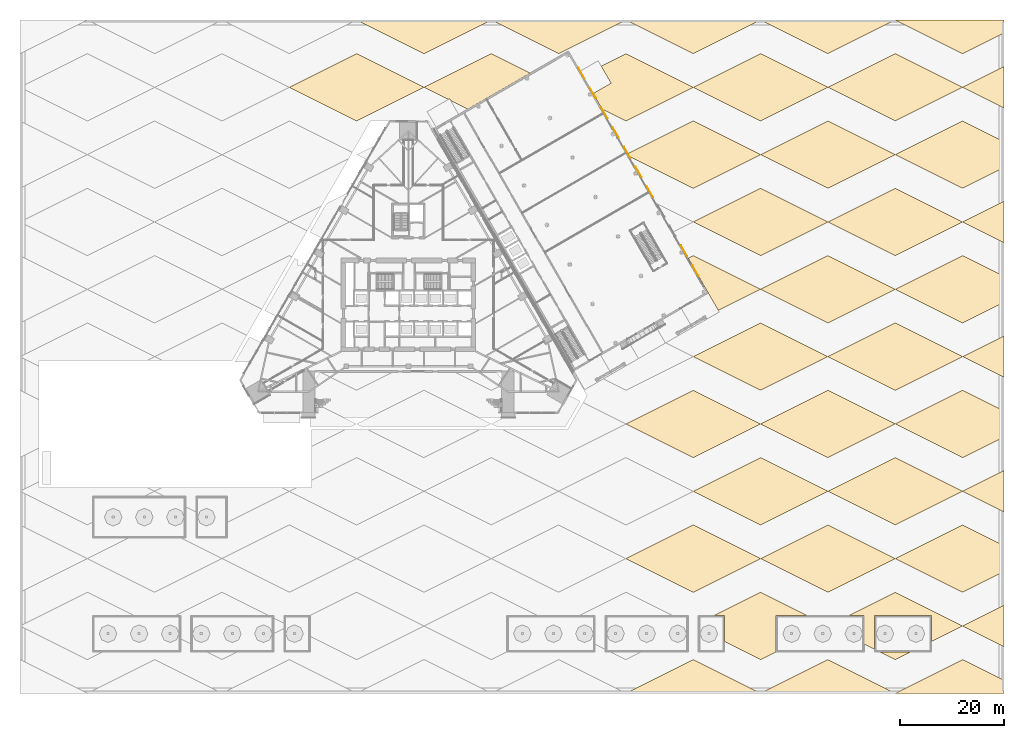
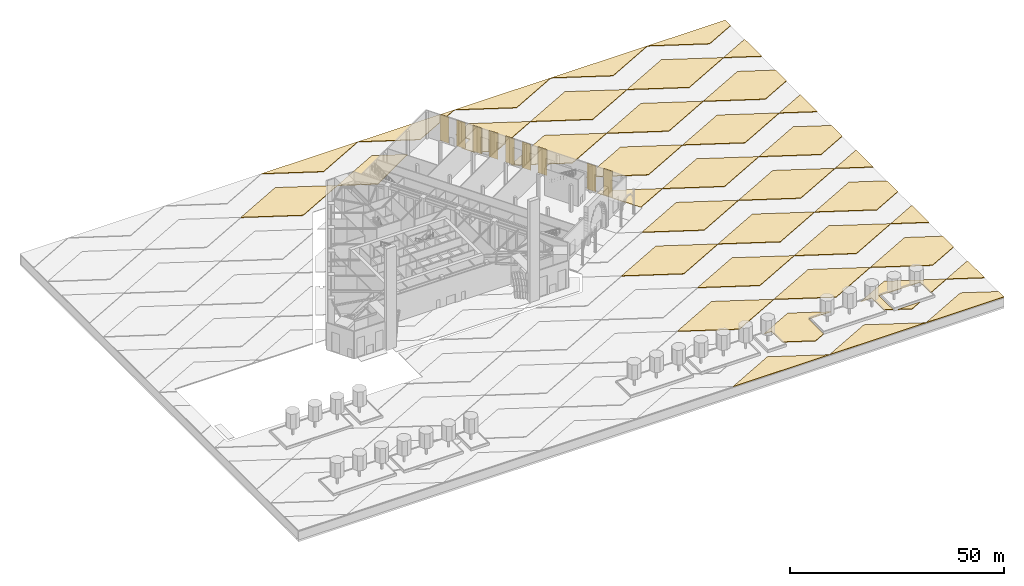
# One storey, part 31 of 34: 48 coverings.
"""IFC4 building model written with IfcOpenShell, lengths in metres."""

import ifcopenshell
import ifcopenshell.guid

model = None  # the IFC model being written
_history = None  # IfcOwnerHistory: only IFC2X3 demands one
_inside = {}  # id of a spatial element -> (the spatial element, [elements in it])
_under = {}  # id of a project, library or spatial element -> (it, [spatial elements below it])
_declared = {}  # id of a project -> (the project, [libraries it declares])
_typed = {}  # id of a type object -> (the type object, [elements of that type])
_made_of = {}  # id of a material, layer set ... -> (it, [elements and type objects made of it])


def new_model(schema):
    """Start an empty IFC model of exactly this schema.

    Asked for "IFC4X3", IfcOpenShell would pick the latest addendum, in which some entities
    have other attributes; the version numbers below select the first issue.
    IFC2X3 requires an IfcOwnerHistory on every rooted entity: one is made here for all.
    """
    global model, _history
    if schema == "IFC4X3":
        model = ifcopenshell.file(schema_version=(4, 3, 0, 0))
    else:
        model = ifcopenshell.file(schema=schema)
    _inside.clear()
    _under.clear()
    _declared.clear()
    _typed.clear()
    _made_of.clear()
    _history = None
    if model.schema == "IFC2X3":
        org = make("IfcOrganization", Name="unknown")
        user = make(
            "IfcPersonAndOrganization",
            ThePerson=make("IfcPerson", FamilyName="unknown"),
            TheOrganization=org,
        )
        app = make(
            "IfcApplication",
            ApplicationDeveloper=org,
            Version="unknown",
            ApplicationFullName="unknown",
            ApplicationIdentifier="unknown",
        )
        _history = make(
            "IfcOwnerHistory",
            OwningUser=user,
            OwningApplication=app,
            ChangeAction="ADDED",
            CreationDate=0,
        )
    return model


def make(cls, **values):
    """One entity of the class cls with the attributes given. An attribute that is None is left unset."""
    return model.create_entity(
        cls, **{name: value for name, value in values.items() if value is not None}
    )


def rooted(cls, **values):
    """An entity with a GlobalId (a new one), such as an element, a storey or a relation."""
    return make(cls, GlobalId=ifcopenshell.guid.new(), OwnerHistory=_history, **values)


def si_unit(unit_type, name, prefix=None):
    """IfcSIUnit, for example si_unit("LENGTHUNIT", "METRE", prefix="MILLI")."""
    return make("IfcSIUnit", UnitType=unit_type, Prefix=prefix, Name=name)


def assignment(units):
    """IfcUnitAssignment: the units of a project."""
    return None if units is None else make("IfcUnitAssignment", Units=units)


def point(xyz):
    """IfcCartesianPoint."""
    return None if xyz is None else make("IfcCartesianPoint", Coordinates=xyz)


def direction(xyz):
    """IfcDirection."""
    return None if xyz is None else make("IfcDirection", DirectionRatios=xyz)


def frame(location, z_axis=None, x_axis=None):
    """IfcAxis2Placement3D, a coordinate frame: its origin and axes. An axis left out is left unset."""
    return make(
        "IfcAxis2Placement3D",
        Location=point(location),
        Axis=direction(z_axis),
        RefDirection=direction(x_axis),
    )


def frame_2d(location, x_axis=None):
    """IfcAxis2Placement2D, a coordinate frame in the plane: its origin and x axis."""
    return make(
        "IfcAxis2Placement2D", Location=point(location), RefDirection=direction(x_axis)
    )


def origin():
    """The frame at (0, 0, 0) with its axes left unset."""
    return frame((0.0, 0.0, 0.0))


def origin_2d():
    """The frame at (0, 0) in the plane with its x axis left unset."""
    return frame_2d((0.0, 0.0))


def place(relative_to, where):
    """IfcLocalPlacement: puts the frame where relative to a parent placement (None: the world)."""
    return make(
        "IfcLocalPlacement", PlacementRelTo=relative_to, RelativePlacement=where
    )


def context(
    kind, dimensions, precision=None, world=None, true_north=None, identifier=None
):
    """IfcGeometricRepresentationContext, for example the 3D "Model" context."""
    return make(
        "IfcGeometricRepresentationContext",
        ContextIdentifier=identifier,
        ContextType=kind,
        CoordinateSpaceDimension=dimensions,
        Precision=precision,
        WorldCoordinateSystem=world,
        TrueNorth=true_north,
    )


def subcontext(parent, identifier, kind, view, scale=None):
    """IfcGeometricRepresentationSubContext, for example "Body" below "Model"."""
    return make(
        "IfcGeometricRepresentationSubContext",
        ContextIdentifier=identifier,
        ContextType=kind,
        ParentContext=parent,
        TargetScale=scale,
        TargetView=view,
    )


def project(units=None, contexts=None):
    """IfcProject with its units and contexts."""
    return rooted(
        "IfcProject",
        Name="project",
        RepresentationContexts=contexts,
        UnitsInContext=assignment(units),
    )


def spatial(cls, under=None, at=None, **own):
    """A site, building, storey or space (cls), placed at a placement, below another one or the project."""
    s = rooted(cls, ObjectPlacement=at, **own)
    if under is not None:
        _under.setdefault(under.id(), (under, []))[1].append(s)
    return s


def polyline(points):
    """IfcPolyline through the points."""
    return make("IfcPolyline", Points=[point(p) for p in points])


def profile(cls, at=None, kind="AREA", **sizes):
    """A parametric profile (cls). Its sizes go by their IFC names, for example OverallWidth=200.0."""
    return make(cls, ProfileType=kind, Position=at, **sizes)


def rectangle(**sizes):
    """IfcRectangleProfileDef."""
    return profile("IfcRectangleProfileDef", **sizes)


def outline(outer, holes=None, kind="AREA"):
    """IfcArbitraryClosedProfileDef: a profile drawn as a closed curve; with holes, ...WithVoids."""
    if holes is None:
        return make("IfcArbitraryClosedProfileDef", ProfileType=kind, OuterCurve=outer)
    return make(
        "IfcArbitraryProfileDefWithVoids",
        ProfileType=kind,
        OuterCurve=outer,
        InnerCurves=holes,
    )


def extrude(swept, where, along, depth):
    """IfcExtrudedAreaSolid: the profile swept, set in the frame where, extruded along a direction by depth."""
    return make(
        "IfcExtrudedAreaSolid",
        SweptArea=swept,
        Position=where,
        ExtrudedDirection=direction(along),
        Depth=depth,
    )


def shape(context_of_items, identifier, shape_type, items):
    """IfcShapeRepresentation: the items that make up one representation, for example the "Body"."""
    return make(
        "IfcShapeRepresentation",
        ContextOfItems=context_of_items,
        RepresentationIdentifier=identifier,
        RepresentationType=shape_type,
        Items=items,
    )


def material(Name=None, Category=None):
    """IfcMaterial."""
    return make("IfcMaterial", Name=Name, Category=Category)


def layer(
    of_material, thickness, ventilated=None, Name=None, Category=None, Priority=None
):
    """IfcMaterialLayer: one layer of a wall or slab, of a material (None: an air gap)."""
    return make(
        "IfcMaterialLayer",
        Material=of_material,
        LayerThickness=thickness,
        IsVentilated=ventilated,
        Name=Name,
        Category=Category,
        Priority=Priority,
    )


def layer_set(layers, Name=None):
    """IfcMaterialLayerSet."""
    return make("IfcMaterialLayerSet", MaterialLayers=layers, LayerSetName=Name)


def made_of(thing, what):
    """Note that an element or type object is made of a material, layer set ...; save() writes the relation."""
    if what is not None:
        _made_of.setdefault(what.id(), (what, []))[1].append(thing)
    return thing


def type_object(cls, material=None, **own):
    """A type object (cls), such as IfcWallType, which elements share."""
    return made_of(rooted(cls, **own), material)


def element(
    cls,
    number,
    at=None,
    inside=None,
    cuts=None,
    type_object=None,
    material=None,
    context=None,
    identifier="Body",
    shape_type=None,
    held_by="IfcProductDefinitionShape",
    body=None,
    shapes=None,
    **own,
):
    """One element of the class cls, such as IfcWall. Its Tag is "e" and its number.

    at: its placement. inside: the storey or other place that contains it. cuts: it is an
    opening in that element (IfcRelVoidsElement). A single representation is given by context,
    identifier, shape_type and body (its items); several are given by shapes. held_by: the class
    of the entity that holds the representations. save() writes the other relations.
    """
    e = rooted(cls, Tag="e%d" % number, ObjectPlacement=at, **own)
    if body is not None:
        shapes = [shape(context, identifier, shape_type, body)]
    if shapes is not None:
        e.Representation = make(held_by, Representations=shapes)
    if inside is not None:
        _inside.setdefault(inside.id(), (inside, []))[1].append(e)
    if cuts is not None:
        rooted(
            "IfcRelVoidsElement", RelatingBuildingElement=cuts, RelatedOpeningElement=e
        )
    if type_object is not None:
        _typed.setdefault(type_object.id(), (type_object, []))[1].append(e)
    return made_of(e, material)


def aggregate(whole, parts):
    """IfcRelAggregates: a whole, such as a stair, and the parts it consists of."""
    return rooted("IfcRelAggregates", RelatingObject=whole, RelatedObjects=parts)


def save(model, path):
    """Write the relations noted so far, then the file.

    IfcRelAggregates (storeys below a building ...), IfcRelContainedInSpatialStructure (elements
    in a storey), IfcRelDefinesByType, IfcRelAssociatesMaterial and IfcRelDeclares: one each for
    every whole, place, type object, material and project.
    """
    for whole, parts in _under.values():
        aggregate(whole, parts)
    for where, things in _inside.values():
        rooted(
            "IfcRelContainedInSpatialStructure",
            RelatedElements=things,
            RelatingStructure=where,
        )
    for kind, things in _typed.values():
        rooted("IfcRelDefinesByType", RelatedObjects=things, RelatingType=kind)
    for what, things in _made_of.values():
        rooted("IfcRelAssociatesMaterial", RelatedObjects=things, RelatingMaterial=what)
    for by, libraries in _declared.values():
        rooted("IfcRelDeclares", RelatingContext=by, RelatedDefinitions=libraries)
    model.write(path)


model = new_model("IFC4")

# Units and contexts
model_context = context("Model", 3, precision=1e-05, world=origin(), true_north=direction((0.0, 1.0)))
body_context = subcontext(model_context, "Body", "Model", "MODEL_VIEW")
ifc_project = project(units=[si_unit("LENGTHUNIT", "METRE"), si_unit("AREAUNIT", "SQUARE_METRE"), si_unit("VOLUMEUNIT", "CUBIC_METRE"), si_unit("PLANEANGLEUNIT", "RADIAN"), si_unit("MASSUNIT", "GRAM", prefix="KILO")], contexts=[model_context])

# Site, building, storey
site_placement = place(None, origin())
site = spatial("IfcSite", under=ifc_project, at=site_placement, CompositionType="ELEMENT")
building_placement = place(site_placement, origin())
building = spatial("IfcBuilding", under=site, at=building_placement, Name="Firuza Gate Tower and Library", CompositionType="ELEMENT")
storey_placement = place(building_placement, origin())
storey = spatial("IfcBuildingStorey", under=building, at=storey_placement, Name="L00", CompositionType="ELEMENT", Elevation=0.0)

# Coverings
ifc_material_1 = material(Name="Ceramic paving, deep blue")
ifc_layer_1 = layer(ifc_material_1, 0.14990234375)
ifc_layer_set_1 = layer_set([ifc_layer_1], Name="Cobalt ceramic paving 150")
covering_type_1 = type_object("IfcCoveringType", Name="Cobalt ceramic paving 150", PredefinedType="FLOORING", material=ifc_layer_set_1)
placement = place(storey_placement, frame((0.0, 0.0, -0.14990234375)))
element("IfcCovering", 1, at=placement, inside=storey, type_object=covering_type_1, Name="Plaza paving", PredefinedType="FLOORING", context=body_context, shape_type="SweptSolid", body=[
    extrude(outline(polyline([(130.0, 6.5), (143.0, 0.0), (117.0, 0.0), (130.0, 6.5)])), origin(), (0.0, 0.0, 1.0), 0.14990234375),
])
element("IfcCovering", 2, at=placement, inside=storey, type_object=covering_type_1, Name="Plaza paving", PredefinedType="FLOORING", context=body_context, shape_type="SweptSolid", body=[
    extrude(outline(polyline([(163.0, 9.5), (163.0, 15.0), (160.0, 15.0), (169.0, 19.5), (182.0, 13.0), (176.0, 10.0), (176.0, 15.0), (165.0, 15.0), (165.0, 8.5), (163.0, 9.5)])), origin(), (0.0, 0.0, 1.0), 0.14990234375),
])
element("IfcCovering", 3, at=placement, inside=storey, type_object=covering_type_1, Name="Plaza paving", PredefinedType="FLOORING", context=body_context, shape_type="SweptSolid", body=[
    extrude(outline(polyline([(169.0, 6.5), (166.0, 8.0), (172.0, 8.0), (169.0, 6.5)])), origin(), (0.0, 0.0, 1.0), 0.14990234375),
])
element("IfcCovering", 4, at=placement, inside=storey, type_object=covering_type_1, Name="Plaza paving", PredefinedType="FLOORING", context=body_context, shape_type="SweptSolid", body=[
    extrude(outline(polyline([(182.0, 19.5), (169.0, 26.0), (182.0, 32.5), (190.0, 28.5), (190.0, 23.5), (182.0, 19.5)])), origin(), (0.0, 0.0, 1.0), 0.14990234375),
])
element("IfcCovering", 5, at=placement, inside=storey, type_object=covering_type_1, Name="Plaza paving", PredefinedType="FLOORING", context=body_context, shape_type="SweptSolid", body=[
    extrude(outline(polyline([(143.0, 45.5), (156.0, 39.0), (143.0, 32.5), (130.0, 39.0), (143.0, 45.5)])), origin(), (0.0, 0.0, 1.0), 0.14990234375),
])
element("IfcCovering", 6, at=placement, inside=storey, type_object=covering_type_1, Name="Plaza paving", PredefinedType="FLOORING", context=body_context, shape_type="SweptSolid", body=[
    extrude(outline(polyline([(156.0, 58.5), (169.0, 52.0), (156.0, 45.5), (143.0, 52.0), (156.0, 58.5)])), origin(), (0.0, 0.0, 1.0), 0.14990234375),
])
element("IfcCovering", 7, at=placement, inside=storey, type_object=covering_type_1, Name="Plaza paving", PredefinedType="FLOORING", context=body_context, shape_type="SweptSolid", body=[
    extrude(outline(polyline([(182.0, 65.0), (190.0, 69.0), (190.0, 61.0), (182.0, 65.0)])), origin(), (0.0, 0.0, 1.0), 0.14990234375),
])
element("IfcCovering", 8, at=placement, inside=storey, type_object=covering_type_1, Name="Plaza paving", PredefinedType="FLOORING", context=body_context, shape_type="SweptSolid", body=[
    extrude(outline(polyline([(130.0, 84.5), (143.0, 78.0), (134.841552734375, 73.920654296875), (129.017333984375, 84.008544921875), (130.0, 84.5)])), origin(), (0.0, 0.0, 1.0), 0.14990234375),
])
element("IfcCovering", 9, at=placement, inside=storey, type_object=covering_type_1, Name="Plaza paving", PredefinedType="FLOORING", context=body_context, shape_type="SweptSolid", body=[
    extrude(outline(polyline([(169.0, 97.5), (182.0, 91.0), (169.0, 84.5), (156.0, 91.0), (169.0, 97.5)])), origin(), (0.0, 0.0, 1.0), 0.14990234375),
])
element("IfcCovering", 10, at=placement, inside=storey, type_object=covering_type_1, Name="Plaza paving", PredefinedType="FLOORING", context=body_context, shape_type="SweptSolid", body=[
    extrude(outline(polyline([(182.0, 97.5), (169.0, 104.0), (182.0, 110.5), (190.0, 106.5), (190.0, 101.5), (182.0, 97.5)])), origin(), (0.0, 0.0, 1.0), 0.14990234375),
])
element("IfcCovering", 11, at=placement, inside=storey, type_object=covering_type_1, Name="Plaza paving", PredefinedType="FLOORING", context=body_context, shape_type="SweptSolid", body=[
    extrude(outline(polyline([(65.0, 123.5), (78.0, 117.0), (65.0, 110.5), (52.0, 117.0), (65.0, 123.5)])), origin(), (0.0, 0.0, 1.0), 0.14990234375),
])
element("IfcCovering", 12, at=placement, inside=storey, type_object=covering_type_1, Name="Plaza paving", PredefinedType="FLOORING", context=body_context, shape_type="SweptSolid", body=[
    extrude(outline(polyline([(143.0, 123.5), (156.0, 117.0), (143.0, 110.5), (130.0, 117.0), (143.0, 123.5)])), origin(), (0.0, 0.0, 1.0), 0.14990234375),
])
element("IfcCovering", 13, at=placement, inside=storey, type_object=covering_type_1, Name="Plaza paving", PredefinedType="FLOORING", context=body_context, shape_type="SweptSolid", body=[
    extrude(outline(polyline([(78.0, 123.5), (65.0, 130.0), (91.0, 130.0), (78.0, 123.5)])), origin(), (0.0, 0.0, 1.0), 0.14990234375),
])
element("IfcCovering", 14, at=placement, inside=storey, type_object=covering_type_1, Name="Plaza paving", PredefinedType="FLOORING", context=body_context, shape_type="SweptSolid", body=[
    extrude(outline(polyline([(156.0, 123.5), (143.0, 130.0), (169.0, 130.0), (156.0, 123.5)])), origin(), (0.0, 0.0, 1.0), 0.14990234375),
])
ifc_material_2 = material(Name="Turquoise glazed ceramic tile")
ifc_layer_2 = layer(ifc_material_2, 0.050048828125)
ifc_layer_set_2 = layer_set([ifc_layer_2], Name="LIB TILE CLADDING")
covering_type_2 = type_object("IfcCoveringType", Name="LIB TILE CLADDING", PredefinedType="CLADDING", material=ifc_layer_set_2)
for number, where, z_axis, x_axis, name in (
    (15, (130.435302734375, 81.602294921875, 0.10009765625), (0.0, 0.0, 1.0), (-0.5, 0.866025403784, 0.0), "L00 TILE panel 1"),
    (16, (121.635498046875, 96.84423828125, 0.10009765625), (0.0, 0.0, 1.0), (-0.5, 0.866025403784, 0.0), "L00 TILE panel 5"),
    (17, (117.2353515625, 104.46533203125, 0.10009765625), (0.0, 0.0, 1.0), (-0.5, 0.866025403784, 0.0), "L00 TILE panel 7"),
    (18, (112.83544921875, 112.086181640625, 0.10009765625), (0.0, 0.0, 1.0), (-0.5, 0.866025403784, 0.0), "L00 TILE panel 9"),
    (19, (108.435302734375, 119.70751953125, 0.10009765625), (0.0, 0.0, 1.0), (-0.5, 0.866025403784, 0.0), "L00 TILE panel 11"),
):
    element("IfcCovering", number, at=place(storey_placement, frame(where, z_axis=z_axis, x_axis=x_axis)), inside=storey, type_object=covering_type_2, Name=name, PredefinedType="CLADDING", context=body_context, shape_type="SweptSolid", body=[
        extrude(rectangle(XDim=2.39990234375, YDim=0.050048828125, at=origin_2d()), origin(), (0.0, 0.0, 1.0), 7.43994140625),
    ])
ifc_material_3 = material(Name="Cobalt glazed ceramic tile")
ifc_layer_3 = layer(ifc_material_3, 0.050048828125)
ifc_layer_set_3 = layer_set([ifc_layer_3], Name="LIB TILE CLADDING COBALT")
covering_type_3 = type_object("IfcCoveringType", Name="LIB TILE CLADDING COBALT", PredefinedType="CLADDING", material=ifc_layer_set_3)
for number, where, z_axis, x_axis, name in (
    (20, (128.2353515625, 85.412841796875, 0.10009765625), (0.0, 0.0, 1.0), (-0.5, 0.866025403784, 0.0), "L00 TILE panel 2"),
    (21, (119.435302734375, 100.65478515625, 0.10009765625), (0.0, 0.0, 1.0), (-0.5, 0.866025403784, 0.0), "L00 TILE panel 6"),
    (22, (115.035400390625, 108.27587890625, 0.10009765625), (0.0, 0.0, 1.0), (-0.5, 0.866025403784, 0.0), "L00 TILE panel 8"),
    (23, (110.635498046875, 115.89697265625, 0.10009765625), (0.0, 0.0, 1.0), (-0.5, 0.866025403784, 0.0), "L00 TILE panel 10"),
):
    element("IfcCovering", number, at=place(storey_placement, frame(where, z_axis=z_axis, x_axis=x_axis)), inside=storey, type_object=covering_type_3, Name=name, PredefinedType="CLADDING", context=body_context, shape_type="SweptSolid", body=[
        extrude(rectangle(XDim=2.39990234375, YDim=0.050048828125, at=origin_2d()), origin(), (0.0, 0.0, 1.0), 7.43994140625),
    ])
ifc_material_4 = material(Name="Sandstone paving", Category="masonry")
ifc_layer_4 = layer(ifc_material_4, 0.14990234375)
ifc_layer_set_4 = layer_set([ifc_layer_4], Name="Sandstone paving 150")
covering_type_4 = type_object("IfcCoveringType", Name="Sandstone paving 150", PredefinedType="FLOORING", material=ifc_layer_set_4)
element("IfcCovering", 24, at=placement, inside=storey, type_object=covering_type_4, Name="Plaza paving", PredefinedType="FLOORING", context=body_context, shape_type="SweptSolid", body=[
    extrude(outline(polyline([(156.0, 6.5), (169.0, 0.0), (143.0, 0.0), (156.0, 6.5)])), origin(), (0.0, 0.0, 1.0), 0.14990234375),
])
element("IfcCovering", 25, at=placement, inside=storey, type_object=covering_type_4, Name="Plaza paving", PredefinedType="FLOORING", context=body_context, shape_type="SweptSolid", body=[
    extrude(outline(polyline([(182.0, 13.0), (190.0, 17.0), (190.0, 9.0), (182.0, 13.0)])), origin(), (0.0, 0.0, 1.0), 0.14990234375),
])
element("IfcCovering", 26, at=placement, inside=storey, type_object=covering_type_4, Name="Plaza paving", PredefinedType="FLOORING", context=body_context, shape_type="SweptSolid", body=[
    extrude(outline(polyline([(130.0, 32.5), (143.0, 26.0), (130.0, 19.5), (117.0, 26.0), (130.0, 32.5)])), origin(), (0.0, 0.0, 1.0), 0.14990234375),
])
element("IfcCovering", 27, at=placement, inside=storey, type_object=covering_type_4, Name="Plaza paving", PredefinedType="FLOORING", context=body_context, shape_type="SweptSolid", body=[
    extrude(outline(polyline([(169.0, 45.5), (182.0, 39.0), (169.0, 32.5), (156.0, 39.0), (169.0, 45.5)])), origin(), (0.0, 0.0, 1.0), 0.14990234375),
])
element("IfcCovering", 28, at=placement, inside=storey, type_object=covering_type_4, Name="Plaza paving", PredefinedType="FLOORING", context=body_context, shape_type="SweptSolid", body=[
    extrude(outline(polyline([(182.0, 45.5), (169.0, 52.0), (182.0, 58.5), (190.0, 54.5), (190.0, 49.5), (182.0, 45.5)])), origin(), (0.0, 0.0, 1.0), 0.14990234375),
])
element("IfcCovering", 29, at=placement, inside=storey, type_object=covering_type_4, Name="Plaza paving", PredefinedType="FLOORING", context=body_context, shape_type="SweptSolid", body=[
    extrude(outline(polyline([(143.0, 71.5), (156.0, 65.0), (143.0, 58.5), (130.0, 65.0), (143.0, 71.5)])), origin(), (0.0, 0.0, 1.0), 0.14990234375),
])
element("IfcCovering", 30, at=placement, inside=storey, type_object=covering_type_4, Name="Plaza paving", PredefinedType="FLOORING", context=body_context, shape_type="SweptSolid", body=[
    extrude(outline(polyline([(156.0, 84.5), (169.0, 78.0), (156.0, 71.5), (143.0, 78.0), (156.0, 84.5)])), origin(), (0.0, 0.0, 1.0), 0.14990234375),
])
element("IfcCovering", 31, at=placement, inside=storey, type_object=covering_type_4, Name="Plaza paving", PredefinedType="FLOORING", context=body_context, shape_type="SweptSolid", body=[
    extrude(outline(polyline([(182.0, 91.0), (190.0, 95.0), (190.0, 87.0), (182.0, 91.0)])), origin(), (0.0, 0.0, 1.0), 0.14990234375),
])
element("IfcCovering", 32, at=placement, inside=storey, type_object=covering_type_4, Name="Plaza paving", PredefinedType="FLOORING", context=body_context, shape_type="SweptSolid", body=[
    extrude(outline(polyline([(130.0, 110.5), (143.0, 104.0), (130.0, 97.5), (117.668212890625, 103.666015625), (117.368896484375, 104.184326171875), (130.0, 110.5)])), origin(), (0.0, 0.0, 1.0), 0.14990234375),
])
element("IfcCovering", 33, at=placement, inside=storey, type_object=covering_type_4, Name="Plaza paving", PredefinedType="FLOORING", context=body_context, shape_type="SweptSolid", body=[
    extrude(outline(polyline([(78.0, 117.0), (91.0, 123.5), (98.5048828125, 119.74755859375), (86.438232421875, 112.78076171875), (83.1728515625, 114.41357421875), (82.9462890625, 114.80615234375), (82.68701171875, 114.656494140625), (78.0, 117.0)])), origin(), (0.0, 0.0, 1.0), 0.14990234375),
])
element("IfcCovering", 34, at=placement, inside=storey, type_object=covering_type_4, Name="Plaza paving", PredefinedType="FLOORING", context=body_context, shape_type="SweptSolid", body=[
    extrude(outline(polyline([(169.0, 123.5), (182.0, 117.0), (169.0, 110.5), (156.0, 117.0), (169.0, 123.5)])), origin(), (0.0, 0.0, 1.0), 0.14990234375),
])
element("IfcCovering", 35, at=placement, inside=storey, type_object=covering_type_4, Name="Plaza paving", PredefinedType="FLOORING", context=body_context, shape_type="SweptSolid", body=[
    extrude(outline(polyline([(104.0, 123.5), (91.0, 130.0), (117.0, 130.0), (104.0, 123.5)])), origin(), (0.0, 0.0, 1.0), 0.14990234375),
])
element("IfcCovering", 36, at=placement, inside=storey, type_object=covering_type_4, Name="Plaza paving", PredefinedType="FLOORING", context=body_context, shape_type="SweptSolid", body=[
    extrude(outline(polyline([(182.0, 123.5), (169.0, 130.0), (190.0, 130.0), (190.0, 127.5), (182.0, 123.5)])), origin(), (0.0, 0.0, 1.0), 0.14990234375),
])
ifc_material_5 = material(Name="Ceramic paving, turquoise")
ifc_layer_5 = layer(ifc_material_5, 0.14990234375)
ifc_layer_set_5 = layer_set([ifc_layer_5], Name="Turquoise ceramic paving 150")
covering_type_5 = type_object("IfcCoveringType", Name="Turquoise ceramic paving 150", PredefinedType="FLOORING", material=ifc_layer_set_5)
element("IfcCovering", 37, at=placement, inside=storey, type_object=covering_type_5, Name="Plaza paving", PredefinedType="FLOORING", context=body_context, shape_type="SweptSolid", body=[
    extrude(outline(polyline([(182.0, 6.5), (190.0, 2.5), (190.0, 0.0), (169.0, 0.0), (182.0, 6.5)])), origin(), (0.0, 0.0, 1.0), 0.14990234375),
])
element("IfcCovering", 38, at=placement, inside=storey, type_object=covering_type_5, Name="Plaza paving", PredefinedType="FLOORING", context=body_context, shape_type="SweptSolid", body=[
    extrude(outline(polyline([(143.0, 6.5), (136.0, 10.0), (136.0, 15.0), (134.0, 15.0), (143.0, 19.5), (152.0, 15.0), (146.0, 15.0), (146.0, 8.0), (143.0, 6.5)])), origin(), (0.0, 0.0, 1.0), 0.14990234375),
])
element("IfcCovering", 39, at=placement, inside=storey, type_object=covering_type_5, Name="Plaza paving", PredefinedType="FLOORING", context=body_context, shape_type="SweptSolid", body=[
    extrude(outline(polyline([(156.0, 32.5), (169.0, 26.0), (156.0, 19.5), (143.0, 26.0), (156.0, 32.5)])), origin(), (0.0, 0.0, 1.0), 0.14990234375),
])
element("IfcCovering", 40, at=placement, inside=storey, type_object=covering_type_5, Name="Plaza paving", PredefinedType="FLOORING", context=body_context, shape_type="SweptSolid", body=[
    extrude(outline(polyline([(182.0, 39.0), (190.0, 43.0), (190.0, 35.0), (182.0, 39.0)])), origin(), (0.0, 0.0, 1.0), 0.14990234375),
])
element("IfcCovering", 41, at=placement, inside=storey, type_object=covering_type_5, Name="Plaza paving", PredefinedType="FLOORING", context=body_context, shape_type="SweptSolid", body=[
    extrude(outline(polyline([(130.0, 58.5), (143.0, 52.0), (130.0, 45.5), (117.0, 52.0), (130.0, 58.5)])), origin(), (0.0, 0.0, 1.0), 0.14990234375),
])
element("IfcCovering", 42, at=placement, inside=storey, type_object=covering_type_5, Name="Plaza paving", PredefinedType="FLOORING", context=body_context, shape_type="SweptSolid", body=[
    extrude(outline(polyline([(169.0, 71.5), (182.0, 65.0), (169.0, 58.5), (156.0, 65.0), (169.0, 71.5)])), origin(), (0.0, 0.0, 1.0), 0.14990234375),
])
element("IfcCovering", 43, at=placement, inside=storey, type_object=covering_type_5, Name="Plaza paving", PredefinedType="FLOORING", context=body_context, shape_type="SweptSolid", body=[
    extrude(outline(polyline([(182.0, 71.5), (169.0, 78.0), (182.0, 84.5), (190.0, 80.5), (190.0, 75.5), (182.0, 71.5)])), origin(), (0.0, 0.0, 1.0), 0.14990234375),
])
element("IfcCovering", 44, at=placement, inside=storey, type_object=covering_type_5, Name="Plaza paving", PredefinedType="FLOORING", context=body_context, shape_type="SweptSolid", body=[
    extrude(outline(polyline([(143.0, 97.5), (156.0, 91.0), (143.0, 84.5), (130.0, 91.0), (143.0, 97.5)])), origin(), (0.0, 0.0, 1.0), 0.14990234375),
])
element("IfcCovering", 45, at=placement, inside=storey, type_object=covering_type_5, Name="Plaza paving", PredefinedType="FLOORING", context=body_context, shape_type="SweptSolid", body=[
    extrude(outline(polyline([(156.0, 110.5), (169.0, 104.0), (156.0, 97.5), (143.0, 104.0), (156.0, 110.5)])), origin(), (0.0, 0.0, 1.0), 0.14990234375),
])
element("IfcCovering", 46, at=placement, inside=storey, type_object=covering_type_5, Name="Plaza paving", PredefinedType="FLOORING", context=body_context, shape_type="SweptSolid", body=[
    extrude(outline(polyline([(117.0, 123.5), (130.0, 117.0), (117.0, 110.5), (112.392333984375, 112.8037109375), (110.663818359375, 115.797607421875), (114.1279296875, 117.797607421875), (112.216552734375, 121.1083984375), (117.0, 123.5)])), origin(), (0.0, 0.0, 1.0), 0.14990234375),
])
element("IfcCovering", 47, at=placement, inside=storey, type_object=covering_type_5, Name="Plaza paving", PredefinedType="FLOORING", context=body_context, shape_type="SweptSolid", body=[
    extrude(outline(polyline([(182.0, 117.0), (190.0, 121.0), (190.0, 113.0), (182.0, 117.0)])), origin(), (0.0, 0.0, 1.0), 0.14990234375),
])
element("IfcCovering", 48, at=placement, inside=storey, type_object=covering_type_5, Name="Plaza paving", PredefinedType="FLOORING", context=body_context, shape_type="SweptSolid", body=[
    extrude(outline(polyline([(130.0, 123.5), (117.0, 130.0), (143.0, 130.0), (130.0, 123.5)])), origin(), (0.0, 0.0, 1.0), 0.14990234375),
])

save(model, "model.ifc")
